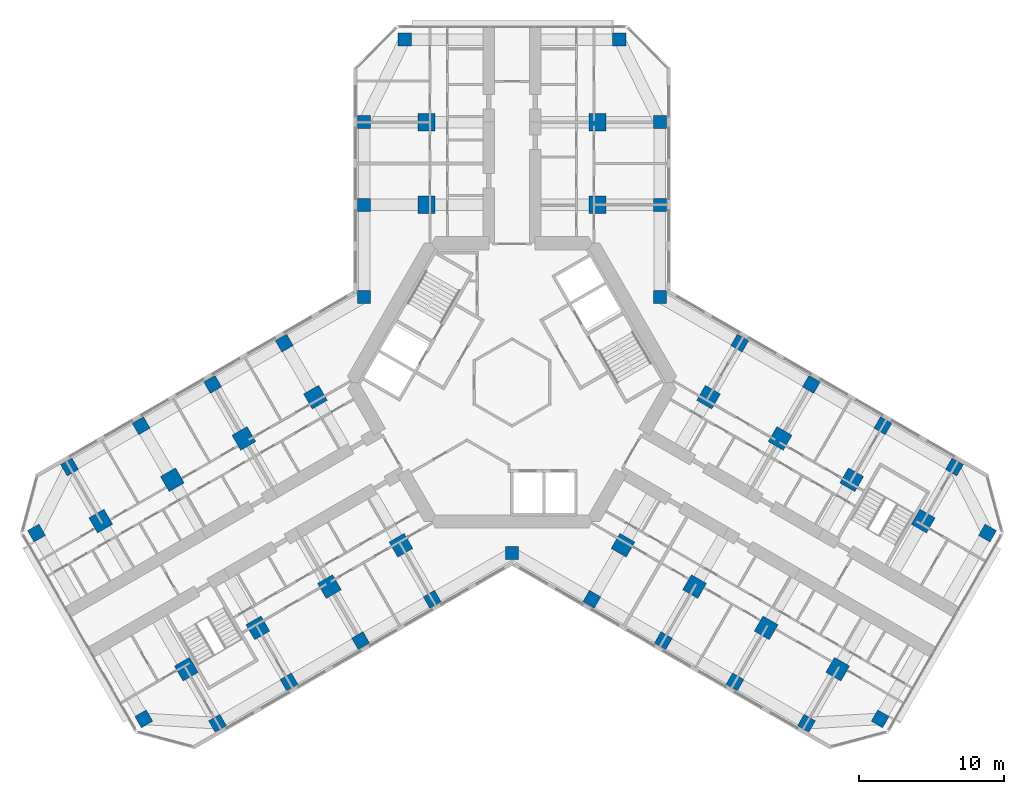
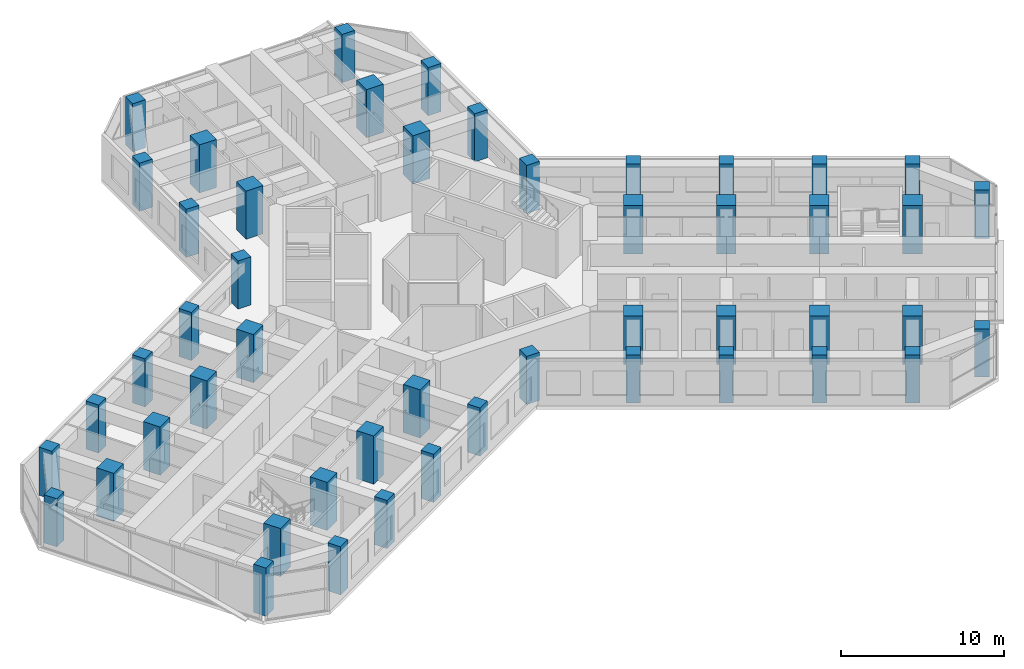
# One storey, part 1 of 19: 49 columns.
"""IFC4 building model written with IfcOpenShell, lengths in metres."""

from ifc_helpers import new_model, si_unit, direction, frame, origin, origin_2d, place, context, subcontext, project, spatial, rectangle, extrude, material, material_profile, profile_set, type_object, element, save


model = new_model("IFC4")

# Units and contexts
model_context = context("Model", 3, precision=1e-05, world=origin(), true_north=direction((0.0, 1.0)))
body_context = subcontext(model_context, "Body", "Model", "MODEL_VIEW")
ifc_project = project(units=[si_unit("LENGTHUNIT", "METRE"), si_unit("AREAUNIT", "SQUARE_METRE"), si_unit("VOLUMEUNIT", "CUBIC_METRE"), si_unit("PLANEANGLEUNIT", "RADIAN"), si_unit("MASSUNIT", "GRAM", prefix="KILO")], contexts=[model_context])

# Site, building, storey
site_placement = place(None, origin())
site = spatial("IfcSite", under=ifc_project, at=site_placement, CompositionType="ELEMENT")
building_placement = place(site_placement, origin())
building = spatial("IfcBuilding", under=site, at=building_placement, Name="Kosmar Iwan School Tower", CompositionType="ELEMENT")
storey_placement = place(building_placement, frame((0.0, 0.0, 158.0)))
storey = spatial("IfcBuildingStorey", under=building, at=storey_placement, Name="L39", CompositionType="ELEMENT", Elevation=158.0)

# Columns
ifc_material_1 = material(Name="Concrete C50/60", Category="concrete")
ifc_material_profile_1 = material_profile(ifc_material_1, rectangle(XDim=0.89990234375, YDim=0.89990234375, at=origin_2d()), Name="RC 900x900 + HD 400x347")
ifc_profile_set_1 = profile_set([ifc_material_profile_1], Name="Concrete C50/60")
column_type_1 = type_object("IfcColumnType", Name="Composite column 900x900 HD 400x347", PredefinedType="COLUMN", material=ifc_profile_set_1)
for number, where, z_axis, x_axis, name in (
    (1, (-10.199951171875, 12.25, 0.0), (0.0, 0.0, 1.0), (0.0, 1.0, 0.0), "Column AL1 L39"),
    (2, (-10.199951171875, 17.949951171875, 0.0), (0.0, 0.0, 1.0), (0.0, 1.0, 0.0), "Column AL2 L39"),
    (3, (-7.39990234375, 23.64990234375, 0.0), (0.0, 0.0, 1.0), (0.0, 1.0, 0.0), "Column ALTIP L39"),
    (4, (10.199951171875, 12.25, 0.0), (0.0, 0.0, 1.0), (0.0, 1.0, 0.0), "Column AR1 L39"),
    (5, (10.199951171875, 17.949951171875, 0.0), (0.0, 0.0, 1.0), (0.0, 1.0, 0.0), "Column AR2 L39"),
    (6, (7.39990234375, 23.64990234375, 0.0), (0.0, 0.0, 1.0), (0.0, 1.0, 0.0), "Column ARTIP L39"),
    (7, (-5.5087890625, -14.95849609375, 0.0), (0.0, 0.0, 1.0), (-0.866025403784, -0.5, 0.0), "Column BL1 L39"),
    (8, (-10.445068359375, -17.808349609375, 0.0), (0.0, 0.0, 1.0), (-0.866025403784, -0.5, 0.0), "Column BL2 L39"),
    (9, (-15.381591796875, -20.658447265625, 0.0), (0.0, 0.0, 1.0), (-0.866025403784, -0.5, 0.0), "Column BL3 L39"),
    (10, (-20.31787109375, -23.508544921875, 0.0), (0.0, 0.0, 1.0), (-0.866025403784, -0.5, 0.0), "Column BL4 L39"),
    (11, (-25.3984375, -23.20849609375, 0.0), (0.0, 0.0, 1.0), (-0.866025403784, -0.5, 0.0), "Column BLTIP L39"),
    (12, (-15.708740234375, 2.70849609375, 0.0), (0.0, 0.0, 1.0), (-0.866025403784, -0.5, 0.0), "Column BR1 L39"),
    (13, (-20.645263671875, -0.1416015625, 0.0), (0.0, 0.0, 1.0), (-0.866025403784, -0.5, 0.0), "Column BR2 L39"),
    (14, (-25.58154296875, -2.991455078125, 0.0), (0.0, 0.0, 1.0), (-0.866025403784, -0.5, 0.0), "Column BR3 L39"),
    (15, (-30.517822265625, -5.841552734375, 0.0), (0.0, 0.0, 1.0), (-0.866025403784, -0.5, 0.0), "Column BR4 L39"),
    (16, (-32.79833984375, -10.391357421875, 0.0), (0.0, 0.0, 1.0), (-0.866025403784, -0.5, 0.0), "Column BRTIP L39"),
    (17, (15.708740234375, 2.70849609375, 0.0), (0.0, 0.0, 1.0), (0.866025403784, -0.5, 0.0), "Column CL1 L39"),
    (18, (20.645263671875, -0.1416015625, 0.0), (0.0, 0.0, 1.0), (0.866025403784, -0.5, 0.0), "Column CL2 L39"),
    (19, (25.58154296875, -2.991455078125, 0.0), (0.0, 0.0, 1.0), (0.866025403784, -0.5, 0.0), "Column CL3 L39"),
    (20, (30.517822265625, -5.841552734375, 0.0), (0.0, 0.0, 1.0), (0.866025403784, -0.5, 0.0), "Column CL4 L39"),
    (21, (32.79833984375, -10.391357421875, 0.0), (0.0, 0.0, 1.0), (0.866025403784, -0.5, 0.0), "Column CLTIP L39"),
    (22, (5.5087890625, -14.95849609375, 0.0), (0.0, 0.0, 1.0), (0.866025403784, -0.5, 0.0), "Column CR1 L39"),
    (23, (10.445068359375, -17.808349609375, 0.0), (0.0, 0.0, 1.0), (0.866025403784, -0.5, 0.0), "Column CR2 L39"),
    (24, (15.381591796875, -20.658447265625, 0.0), (0.0, 0.0, 1.0), (0.866025403784, -0.5, 0.0), "Column CR3 L39"),
    (25, (20.31787109375, -23.508544921875, 0.0), (0.0, 0.0, 1.0), (0.866025403784, -0.5, 0.0), "Column CR4 L39"),
    (26, (25.3984375, -23.20849609375, 0.0), (0.0, 0.0, 1.0), (0.866025403784, -0.5, 0.0), "Column CRTIP L39"),
    (27, (-10.199951171875, 5.888916015625, 0.0), (0.0, 0.0, 1.0), (1.0, 0.0, 0.0), "Column RAB L39"),
    (28, (10.199951171875, 5.888916015625, 0.0), (0.0, 0.0, 1.0), (1.0, 0.0, 0.0), "Column RAC L39"),
    (29, (0.0, -11.77783203125, 0.0), (0.0, 0.0, 1.0), (1.0, 0.0, 0.0), "Column RBC L39"),
):
    element("IfcColumn", number, at=place(storey_placement, frame(where, z_axis=z_axis, x_axis=x_axis)), inside=storey, type_object=column_type_1, Name=name, PredefinedType="COLUMN", context=body_context, shape_type="SweptSolid", body=[
        extrude(rectangle(XDim=0.89990234375, YDim=0.89990234375, at=origin_2d()), origin(), (0.0, 0.0, 1.0), 3.60009765625),
    ])
ifc_material_2 = material(Name="Concrete C50/60", Category="concrete")
ifc_material_profile_2 = material_profile(ifc_material_2, rectangle(XDim=1.199951171875, YDim=1.199951171875, at=origin_2d()), Name="RC 1200x1200")
ifc_profile_set_2 = profile_set([ifc_material_profile_2], Name="Concrete C50/60")
column_type_2 = type_object("IfcColumnType", Name="RC interior column 1200x1200", PredefinedType="COLUMN", material=ifc_profile_set_2)
for number, where, z_axis, x_axis, name in (
    (30, (-5.89990234375, 12.25, 0.0), (0.0, 0.0, 1.0), (0.0, 1.0, 0.0), "Interior column ALI1 L39"),
    (31, (-5.89990234375, 17.949951171875, 0.0), (0.0, 0.0, 1.0), (0.0, 1.0, 0.0), "Interior column ALI2 L39"),
    (32, (5.89990234375, 12.25, 0.0), (0.0, 0.0, 1.0), (0.0, 1.0, 0.0), "Interior column ARI1 L39"),
    (33, (5.89990234375, 17.949951171875, 0.0), (0.0, 0.0, 1.0), (0.0, 1.0, 0.0), "Interior column ARI2 L39"),
    (34, (-7.65869140625, -11.234619140625, 0.0), (0.0, 0.0, 1.0), (-0.866025403784, -0.5, 0.0), "Interior column BLI1 L39"),
    (35, (-12.59521484375, -14.08447265625, 0.0), (0.0, 0.0, 1.0), (-0.866025403784, -0.5, 0.0), "Interior column BLI2 L39"),
    (36, (-17.531494140625, -16.9345703125, 0.0), (0.0, 0.0, 1.0), (-0.866025403784, -0.5, 0.0), "Interior column BLI3 L39"),
    (37, (-22.4677734375, -19.78466796875, 0.0), (0.0, 0.0, 1.0), (-0.866025403784, -0.5, 0.0), "Interior column BLI4 L39"),
    (38, (-13.558837890625, -1.015380859375, 0.0), (0.0, 0.0, 1.0), (-0.866025403784, -0.5, 0.0), "Interior column BRI1 L39"),
    (39, (-18.4951171875, -3.865478515625, 0.0), (0.0, 0.0, 1.0), (-0.866025403784, -0.5, 0.0), "Interior column BRI2 L39"),
    (40, (-23.431396484375, -6.71533203125, 0.0), (0.0, 0.0, 1.0), (-0.866025403784, -0.5, 0.0), "Interior column BRI3 L39"),
    (41, (-28.367919921875, -9.5654296875, 0.0), (0.0, 0.0, 1.0), (-0.866025403784, -0.5, 0.0), "Interior column BRI4 L39"),
    (42, (13.558837890625, -1.015380859375, 0.0), (0.0, 0.0, 1.0), (0.866025403784, -0.5, 0.0), "Interior column CLI1 L39"),
    (43, (18.4951171875, -3.865478515625, 0.0), (0.0, 0.0, 1.0), (0.866025403784, -0.5, 0.0), "Interior column CLI2 L39"),
    (44, (23.431396484375, -6.71533203125, 0.0), (0.0, 0.0, 1.0), (0.866025403784, -0.5, 0.0), "Interior column CLI3 L39"),
    (45, (28.367919921875, -9.5654296875, 0.0), (0.0, 0.0, 1.0), (0.866025403784, -0.5, 0.0), "Interior column CLI4 L39"),
    (46, (7.65869140625, -11.234619140625, 0.0), (0.0, 0.0, 1.0), (0.866025403784, -0.5, 0.0), "Interior column CRI1 L39"),
    (47, (12.59521484375, -14.08447265625, 0.0), (0.0, 0.0, 1.0), (0.866025403784, -0.5, 0.0), "Interior column CRI2 L39"),
    (48, (17.531494140625, -16.9345703125, 0.0), (0.0, 0.0, 1.0), (0.866025403784, -0.5, 0.0), "Interior column CRI3 L39"),
    (49, (22.4677734375, -19.78466796875, 0.0), (0.0, 0.0, 1.0), (0.866025403784, -0.5, 0.0), "Interior column CRI4 L39"),
):
    element("IfcColumn", number, at=place(storey_placement, frame(where, z_axis=z_axis, x_axis=x_axis)), inside=storey, type_object=column_type_2, Name=name, PredefinedType="COLUMN", context=body_context, shape_type="SweptSolid", body=[
        extrude(rectangle(XDim=1.199951171875, YDim=1.199951171875, at=origin_2d()), origin(), (0.0, 0.0, 1.0), 3.60009765625),
    ])

save(model, "model.ifc")
